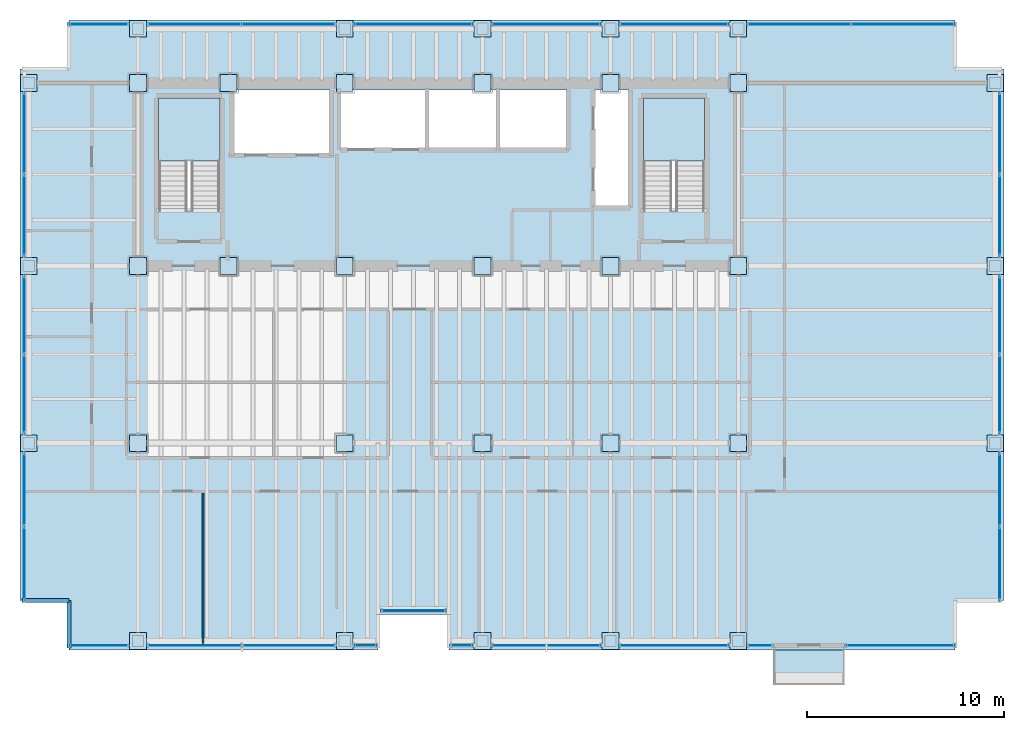
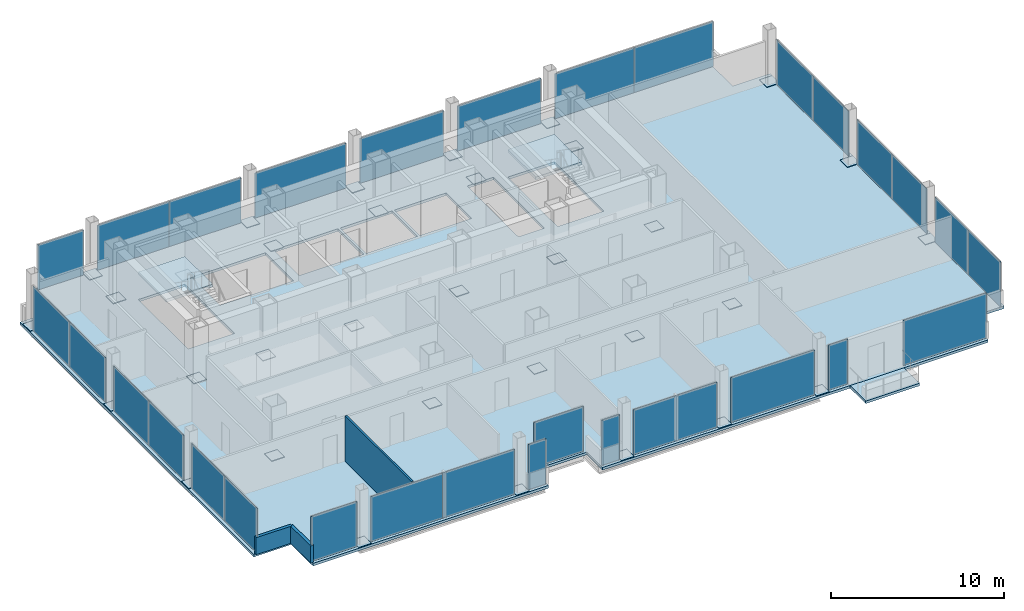
# One storey, part 17 of 22: 63 plates, 4 slabs, 3 walls, 7 openings, 23 elements without a shape of their own.
"""IFC4 building model written with IfcOpenShell, lengths in metres."""

from ifc_helpers import new_model, si_unit, direction, frame, frame_2d, origin, origin_2d, place, context, subcontext, project, spatial, polyline, rectangle, outline, extrude, material, layer, layer_set, type_object, element, aggregate, save


model = new_model("IFC4")

# Units and contexts
model_context = context("Model", 3, precision=1e-05, world=origin(), true_north=direction((0.0, 1.0)))
body_context = subcontext(model_context, "Body", "Model", "MODEL_VIEW")
ifc_project = project(units=[si_unit("LENGTHUNIT", "METRE"), si_unit("AREAUNIT", "SQUARE_METRE"), si_unit("VOLUMEUNIT", "CUBIC_METRE"), si_unit("PLANEANGLEUNIT", "RADIAN"), si_unit("MASSUNIT", "GRAM", prefix="KILO")], contexts=[model_context])

# Site, building, storey
site_placement = place(None, origin())
site = spatial("IfcSite", under=ifc_project, at=site_placement, CompositionType="ELEMENT")
building_placement = place(site_placement, origin())
building = spatial("IfcBuilding", under=site, at=building_placement, Name="Noeulbin Bourse Tower", CompositionType="ELEMENT")
storey_placement = place(building_placement, frame((0.0, 0.0, 85.0)))
storey = spatial("IfcBuildingStorey", under=building, at=storey_placement, Name="L21", CompositionType="ELEMENT", Elevation=85.0)

# Curtain wall, plate
ifc_material_1 = material(Name="Dark Solar-Control Double Glazing", Category="glass")
curtain_wall_type = type_object("IfcCurtainWallType", Name="CW-SYS-2", PredefinedType="NOTDEFINED", material=ifc_material_1)
curtain_wall_1_placement = place(storey_placement, origin())
curtain_wall_1 = element("IfcCurtainWall", 1, at=curtain_wall_1_placement, inside=storey, type_object=curtain_wall_type, Name="Unitised Curtain Wall CW-L21-SREC", PredefinedType="NOTDEFINED")
ifc_layer_1 = layer(ifc_material_1, 0.035888671875)
ifc_layer_set_1 = layer_set([ifc_layer_1], Name="Dark Solar-Control Double Glazing")
plate_type_1 = type_object("IfcPlateType", Name="CW-SYS-2-PNL", PredefinedType="CURTAIN_PANEL", material=ifc_layer_set_1)
plate_1_placement = place(storey_placement, frame((27.5, 11.47998046875, 0.0), z_axis=(0.0, 0.0, 1.0), x_axis=(1.0, 0.0, 0.0)))
plate_1 = element("IfcPlate", 2, at=plate_1_placement, type_object=plate_type_1, Name="Glazed Curtain Panel CW-L21-SREC-P00", PredefinedType="CURTAIN_PANEL", context=body_context, shape_type="SweptSolid", body=[
    extrude(rectangle(XDim=3.300048828125, YDim=0.035888671875, at=origin_2d()), origin(), (0.0, 0.0, 1.0), 3.179931640625),
])
aggregate(curtain_wall_1, [plate_1])

curtain_wall_2_placement = place(storey_placement, origin())
curtain_wall_2 = element("IfcCurtainWall", 3, at=curtain_wall_2_placement, inside=storey, type_object=curtain_wall_type, Name="Unitised Curtain Wall CW-L21-S1-S1", PredefinedType="NOTDEFINED")
plate_2_placement = place(storey_placement, frame((11.510009765625, 9.719970703125, 0.0), z_axis=(0.0, 0.0, 1.0), x_axis=(1.0, 0.0, 0.0)))
plate_2 = element("IfcPlate", 4, at=plate_2_placement, type_object=plate_type_1, Name="Glazed Curtain Panel CW-L21-S1-S1-P00", PredefinedType="CURTAIN_PANEL", context=body_context, shape_type="SweptSolid", body=[
    extrude(rectangle(XDim=3.06005859375, YDim=0.035888671875, at=origin_2d()), origin(), (0.0, 0.0, 1.0), 3.179931640625),
])
aggregate(curtain_wall_2, [plate_2])

# Curtain wall, plates
curtain_wall_3_placement = place(storey_placement, origin())
curtain_wall_3 = element("IfcCurtainWall", 5, at=curtain_wall_3_placement, inside=storey, type_object=curtain_wall_type, Name="Unitised Curtain Wall CW-L21-S1-S2", PredefinedType="NOTDEFINED")
plate_3_placement = place(storey_placement, frame((16.35498046875, 9.719970703125, 0.0), z_axis=(0.0, 0.0, 1.0), x_axis=(1.0, 0.0, 0.0)))
plate_3 = element("IfcPlate", 6, at=plate_3_placement, type_object=plate_type_1, Name="Glazed Curtain Panel CW-L21-S1-S2-P00", PredefinedType="CURTAIN_PANEL", context=body_context, shape_type="SweptSolid", body=[
    extrude(rectangle(XDim=4.7900390625, YDim=0.035888671875, at=origin_2d()), origin(), (0.0, 0.0, 1.0), 3.179931640625),
])
plate_4_placement = place(storey_placement, frame((21.14501953125, 9.719970703125, 0.0), z_axis=(0.0, 0.0, 1.0), x_axis=(1.0, 0.0, 0.0)))
plate_4 = element("IfcPlate", 7, at=plate_4_placement, type_object=plate_type_1, Name="Glazed Curtain Panel CW-L21-S1-S2-P01", PredefinedType="CURTAIN_PANEL", context=body_context, shape_type="SweptSolid", body=[
    extrude(rectangle(XDim=4.7900390625, YDim=0.035888671875, at=origin_2d()), origin(), (0.0, 0.0, 1.0), 3.179931640625),
])
aggregate(curtain_wall_3, [plate_3, plate_4])

# Curtain wall, plate
curtain_wall_4_placement = place(storey_placement, origin())
curtain_wall_4 = element("IfcCurtainWall", 8, at=curtain_wall_4_placement, inside=storey, type_object=curtain_wall_type, Name="Unitised Curtain Wall CW-L21-S1-S3", PredefinedType="NOTDEFINED")
plate_5_placement = place(storey_placement, frame((25.054931640625, 9.719970703125, 0.0), z_axis=(0.0, 0.0, 1.0), x_axis=(1.0, 0.0, 0.0)))
plate_5 = element("IfcPlate", 9, at=plate_5_placement, type_object=plate_type_1, Name="Glazed Curtain Panel CW-L21-S1-S3-P00", PredefinedType="CURTAIN_PANEL", context=body_context, shape_type="SweptSolid", body=[
    extrude(rectangle(XDim=1.18994140625, YDim=0.035888671875, at=origin_2d()), origin(), (0.0, 0.0, 1.0), 3.179931640625),
])
aggregate(curtain_wall_4, [plate_5])

curtain_wall_5_placement = place(storey_placement, origin())
curtain_wall_5 = element("IfcCurtainWall", 10, at=curtain_wall_5_placement, inside=storey, type_object=curtain_wall_type, Name="Unitised Curtain Wall CW-L21-S2-S1", PredefinedType="NOTDEFINED")
plate_6_placement = place(storey_placement, frame((29.945068359375, 9.719970703125, 0.0), z_axis=(0.0, 0.0, 1.0), x_axis=(1.0, 0.0, 0.0)))
plate_6 = element("IfcPlate", 11, at=plate_6_placement, type_object=plate_type_1, Name="Glazed Curtain Panel CW-L21-S2-S1-P00", PredefinedType="CURTAIN_PANEL", context=body_context, shape_type="SweptSolid", body=[
    extrude(rectangle(XDim=1.18994140625, YDim=0.035888671875, at=origin_2d()), origin(), (0.0, 0.0, 1.0), 3.179931640625),
])
aggregate(curtain_wall_5, [plate_6])

curtain_wall_6_placement = place(storey_placement, origin())
curtain_wall_6 = element("IfcCurtainWall", 12, at=curtain_wall_6_placement, inside=storey, type_object=curtain_wall_type, Name="Unitised Curtain Wall CW-L21-S2-S2", PredefinedType="NOTDEFINED")
plate_7_placement = place(storey_placement, frame((34.25, 9.719970703125, 0.0), z_axis=(0.0, 0.0, 1.0), x_axis=(1.0, 0.0, 0.0)))
plate_7 = element("IfcPlate", 13, at=plate_7_placement, type_object=plate_type_1, Name="Glazed Curtain Panel CW-L21-S2-S2-P00", PredefinedType="CURTAIN_PANEL", context=body_context, shape_type="SweptSolid", body=[
    extrude(rectangle(XDim=5.580078125, YDim=0.035888671875, at=origin_2d()), origin(), (0.0, 0.0, 1.0), 3.179931640625),
])
aggregate(curtain_wall_6, [plate_7])

curtain_wall_7_placement = place(storey_placement, origin())
curtain_wall_7 = element("IfcCurtainWall", 14, at=curtain_wall_7_placement, inside=storey, type_object=curtain_wall_type, Name="Unitised Curtain Wall CW-L21-S2-S3", PredefinedType="NOTDEFINED")
plate_8_placement = place(storey_placement, frame((40.75, 9.719970703125, 0.0), z_axis=(0.0, 0.0, 1.0), x_axis=(1.0, 0.0, 0.0)))
plate_8 = element("IfcPlate", 15, at=plate_8_placement, type_object=plate_type_1, Name="Glazed Curtain Panel CW-L21-S2-S3-P00", PredefinedType="CURTAIN_PANEL", context=body_context, shape_type="SweptSolid", body=[
    extrude(rectangle(XDim=5.580078125, YDim=0.035888671875, at=origin_2d()), origin(), (0.0, 0.0, 1.0), 3.179931640625),
])
aggregate(curtain_wall_7, [plate_8])

curtain_wall_8_placement = place(storey_placement, origin())
curtain_wall_8 = element("IfcCurtainWall", 16, at=curtain_wall_8_placement, inside=storey, type_object=curtain_wall_type, Name="Unitised Curtain Wall CW-L21-S2-S4", PredefinedType="NOTDEFINED")
plate_9_placement = place(storey_placement, frame((45.10498046875, 9.719970703125, 0.0), z_axis=(0.0, 0.0, 1.0), x_axis=(1.0, 0.0, 0.0)))
plate_9 = element("IfcPlate", 17, at=plate_9_placement, type_object=plate_type_1, Name="Glazed Curtain Panel CW-L21-S2-S4-P00", PredefinedType="CURTAIN_PANEL", context=body_context, shape_type="SweptSolid", body=[
    extrude(rectangle(XDim=1.2900390625, YDim=0.035888671875, at=origin_2d()), origin(), (0.0, 0.0, 1.0), 3.179931640625),
])
aggregate(curtain_wall_8, [plate_9])

curtain_wall_9_placement = place(storey_placement, origin())
curtain_wall_9 = element("IfcCurtainWall", 18, at=curtain_wall_9_placement, inside=storey, type_object=curtain_wall_type, Name="Unitised Curtain Wall CW-L21-S3", PredefinedType="NOTDEFINED")
plate_10_placement = place(storey_placement, frame((52.235107421875, 9.719970703125, 0.0), z_axis=(0.0, 0.0, 1.0), x_axis=(1.0, 0.0, 0.0)))
plate_10 = element("IfcPlate", 19, at=plate_10_placement, type_object=plate_type_1, Name="Glazed Curtain Panel CW-L21-S3-P00", PredefinedType="CURTAIN_PANEL", context=body_context, shape_type="SweptSolid", body=[
    extrude(rectangle(XDim=5.570068359375, YDim=0.035888671875, at=origin_2d()), origin(), (0.0, 0.0, 1.0), 3.179931640625),
])
aggregate(curtain_wall_9, [plate_10])

curtain_wall_10_placement = place(storey_placement, origin())
curtain_wall_10 = element("IfcCurtainWall", 20, at=curtain_wall_10_placement, inside=storey, type_object=curtain_wall_type, Name="Unitised Curtain Wall CW-L21-N-S1", PredefinedType="NOTDEFINED")
plate_11_placement = place(storey_placement, frame((11.510009765625, 41.280029296875, 0.0), z_axis=(0.0, 0.0, 1.0), x_axis=(1.0, 0.0, 0.0)))
plate_11 = element("IfcPlate", 21, at=plate_11_placement, type_object=plate_type_1, Name="Glazed Curtain Panel CW-L21-N-S1-P00", PredefinedType="CURTAIN_PANEL", context=body_context, shape_type="SweptSolid", body=[
    extrude(rectangle(XDim=3.06005859375, YDim=0.035888671875, at=origin_2d()), origin(), (0.0, 0.0, 1.0), 3.179931640625),
])
aggregate(curtain_wall_10, [plate_11])

# Curtain wall, plates
curtain_wall_11_placement = place(storey_placement, origin())
curtain_wall_11 = element("IfcCurtainWall", 22, at=curtain_wall_11_placement, inside=storey, type_object=curtain_wall_type, Name="Unitised Curtain Wall CW-L21-N-S2", PredefinedType="NOTDEFINED")
plate_12_placement = place(storey_placement, frame((16.35498046875, 41.280029296875, 0.0), z_axis=(0.0, 0.0, 1.0), x_axis=(1.0, 0.0, 0.0)))
plate_12 = element("IfcPlate", 23, at=plate_12_placement, type_object=plate_type_1, Name="Glazed Curtain Panel CW-L21-N-S2-P00", PredefinedType="CURTAIN_PANEL", context=body_context, shape_type="SweptSolid", body=[
    extrude(rectangle(XDim=4.7900390625, YDim=0.035888671875, at=origin_2d()), origin(), (0.0, 0.0, 1.0), 3.179931640625),
])
plate_13_placement = place(storey_placement, frame((21.14501953125, 41.280029296875, 0.0), z_axis=(0.0, 0.0, 1.0), x_axis=(1.0, 0.0, 0.0)))
plate_13 = element("IfcPlate", 24, at=plate_13_placement, type_object=plate_type_1, Name="Glazed Curtain Panel CW-L21-N-S2-P01", PredefinedType="CURTAIN_PANEL", context=body_context, shape_type="SweptSolid", body=[
    extrude(rectangle(XDim=4.7900390625, YDim=0.035888671875, at=origin_2d()), origin(), (0.0, 0.0, 1.0), 3.179931640625),
])
aggregate(curtain_wall_11, [plate_12, plate_13])

# Curtain wall, plate
curtain_wall_12_placement = place(storey_placement, origin())
curtain_wall_12 = element("IfcCurtainWall", 25, at=curtain_wall_12_placement, inside=storey, type_object=curtain_wall_type, Name="Unitised Curtain Wall CW-L21-N-S3", PredefinedType="NOTDEFINED")
plate_14_placement = place(storey_placement, frame((27.5, 41.280029296875, 0.0), z_axis=(0.0, 0.0, 1.0), x_axis=(1.0, 0.0, 0.0)))
plate_14 = element("IfcPlate", 26, at=plate_14_placement, type_object=plate_type_1, Name="Glazed Curtain Panel CW-L21-N-S3-P00", PredefinedType="CURTAIN_PANEL", context=body_context, shape_type="SweptSolid", body=[
    extrude(rectangle(XDim=6.080078125, YDim=0.035888671875, at=origin_2d()), origin(), (0.0, 0.0, 1.0), 3.179931640625),
])
aggregate(curtain_wall_12, [plate_14])

curtain_wall_13_placement = place(storey_placement, origin())
curtain_wall_13 = element("IfcCurtainWall", 27, at=curtain_wall_13_placement, inside=storey, type_object=curtain_wall_type, Name="Unitised Curtain Wall CW-L21-N-S4", PredefinedType="NOTDEFINED")
plate_15_placement = place(storey_placement, frame((34.25, 41.280029296875, 0.0), z_axis=(0.0, 0.0, 1.0), x_axis=(1.0, 0.0, 0.0)))
plate_15 = element("IfcPlate", 28, at=plate_15_placement, type_object=plate_type_1, Name="Glazed Curtain Panel CW-L21-N-S4-P00", PredefinedType="CURTAIN_PANEL", context=body_context, shape_type="SweptSolid", body=[
    extrude(rectangle(XDim=5.580078125, YDim=0.035888671875, at=origin_2d()), origin(), (0.0, 0.0, 1.0), 3.179931640625),
])
aggregate(curtain_wall_13, [plate_15])

curtain_wall_14_placement = place(storey_placement, origin())
curtain_wall_14 = element("IfcCurtainWall", 29, at=curtain_wall_14_placement, inside=storey, type_object=curtain_wall_type, Name="Unitised Curtain Wall CW-L21-N-S5", PredefinedType="NOTDEFINED")
plate_16_placement = place(storey_placement, frame((40.75, 41.280029296875, 0.0), z_axis=(0.0, 0.0, 1.0), x_axis=(1.0, 0.0, 0.0)))
plate_16 = element("IfcPlate", 30, at=plate_16_placement, type_object=plate_type_1, Name="Glazed Curtain Panel CW-L21-N-S5-P00", PredefinedType="CURTAIN_PANEL", context=body_context, shape_type="SweptSolid", body=[
    extrude(rectangle(XDim=5.580078125, YDim=0.035888671875, at=origin_2d()), origin(), (0.0, 0.0, 1.0), 3.179931640625),
])
aggregate(curtain_wall_14, [plate_16])

# Curtain wall, plates
curtain_wall_15_placement = place(storey_placement, origin())
curtain_wall_15 = element("IfcCurtainWall", 31, at=curtain_wall_15_placement, inside=storey, type_object=curtain_wall_type, Name="Unitised Curtain Wall CW-L21-N-S6", PredefinedType="NOTDEFINED")
plate_17_placement = place(storey_placement, frame((47.10009765625, 41.280029296875, 0.0), z_axis=(0.0, 0.0, 1.0), x_axis=(1.0, 0.0, 0.0)))
plate_17 = element("IfcPlate", 32, at=plate_17_placement, type_object=plate_type_1, Name="Glazed Curtain Panel CW-L21-N-S6-P00", PredefinedType="CURTAIN_PANEL", context=body_context, shape_type="SweptSolid", body=[
    extrude(rectangle(XDim=5.280029296875, YDim=0.035888671875, at=origin_2d()), origin(), (0.0, 0.0, 1.0), 3.179931640625),
])
plate_18_placement = place(storey_placement, frame((52.3798828125, 41.280029296875, 0.0), z_axis=(0.0, 0.0, 1.0), x_axis=(1.0, 0.0, 0.0)))
plate_18 = element("IfcPlate", 33, at=plate_18_placement, type_object=plate_type_1, Name="Glazed Curtain Panel CW-L21-N-S6-P01", PredefinedType="CURTAIN_PANEL", context=body_context, shape_type="SweptSolid", body=[
    extrude(rectangle(XDim=5.280029296875, YDim=0.035888671875, at=origin_2d()), origin(), (0.0, 0.0, 1.0), 3.179931640625),
])
aggregate(curtain_wall_15, [plate_17, plate_18])

curtain_wall_16_placement = place(storey_placement, origin())
curtain_wall_16 = element("IfcCurtainWall", 34, at=curtain_wall_16_placement, inside=storey, type_object=curtain_wall_type, Name="Unitised Curtain Wall CW-L21-W-S1", PredefinedType="NOTDEFINED")
plate_19_placement = place(storey_placement, frame((7.719970703125, 13.8701171875, 0.0), z_axis=(0.0, 0.0, 1.0), x_axis=(0.0, 1.0, 0.0)))
plate_19 = element("IfcPlate", 35, at=plate_19_placement, type_object=plate_type_1, Name="Glazed Curtain Panel CW-L21-W-S1-P00", PredefinedType="CURTAIN_PANEL", context=body_context, shape_type="SweptSolid", body=[
    extrude(rectangle(XDim=3.780029296875, YDim=0.035888671875, at=origin_2d()), origin(), (0.0, 0.0, 1.0), 3.179931640625),
])
plate_20_placement = place(storey_placement, frame((7.719970703125, 17.64990234375, 0.0), z_axis=(0.0, 0.0, 1.0), x_axis=(0.0, 1.0, 0.0)))
plate_20 = element("IfcPlate", 36, at=plate_20_placement, type_object=plate_type_1, Name="Glazed Curtain Panel CW-L21-W-S1-P01", PredefinedType="CURTAIN_PANEL", context=body_context, shape_type="SweptSolid", body=[
    extrude(rectangle(XDim=3.780029296875, YDim=0.035888671875, at=origin_2d()), origin(), (0.0, 0.0, 1.0), 3.179931640625),
])
aggregate(curtain_wall_16, [plate_19, plate_20])

curtain_wall_17_placement = place(storey_placement, origin())
curtain_wall_17 = element("IfcCurtainWall", 37, at=curtain_wall_17_placement, inside=storey, type_object=curtain_wall_type, Name="Unitised Curtain Wall CW-L21-W-S2", PredefinedType="NOTDEFINED")
plate_21_placement = place(storey_placement, frame((7.719970703125, 22.47998046875, 0.0), z_axis=(0.0, 0.0, 1.0), x_axis=(0.0, 1.0, 0.0)))
plate_21 = element("IfcPlate", 38, at=plate_21_placement, type_object=plate_type_1, Name="Glazed Curtain Panel CW-L21-W-S2-P00", PredefinedType="CURTAIN_PANEL", context=body_context, shape_type="SweptSolid", body=[
    extrude(rectangle(XDim=4.0400390625, YDim=0.035888671875, at=origin_2d()), origin(), (0.0, 0.0, 1.0), 3.179931640625),
])
plate_22_placement = place(storey_placement, frame((7.719970703125, 26.52001953125, 0.0), z_axis=(0.0, 0.0, 1.0), x_axis=(0.0, 1.0, 0.0)))
plate_22 = element("IfcPlate", 39, at=plate_22_placement, type_object=plate_type_1, Name="Glazed Curtain Panel CW-L21-W-S2-P01", PredefinedType="CURTAIN_PANEL", context=body_context, shape_type="SweptSolid", body=[
    extrude(rectangle(XDim=4.0400390625, YDim=0.035888671875, at=origin_2d()), origin(), (0.0, 0.0, 1.0), 3.179931640625),
])
aggregate(curtain_wall_17, [plate_21, plate_22])

curtain_wall_18_placement = place(storey_placement, origin())
curtain_wall_18 = element("IfcCurtainWall", 40, at=curtain_wall_18_placement, inside=storey, type_object=curtain_wall_type, Name="Unitised Curtain Wall CW-L21-W-S3", PredefinedType="NOTDEFINED")
plate_23_placement = place(storey_placement, frame((7.719970703125, 31.554931640625, 0.0), z_axis=(0.0, 0.0, 1.0), x_axis=(0.0, 1.0, 0.0)))
plate_23 = element("IfcPlate", 41, at=plate_23_placement, type_object=plate_type_1, Name="Glazed Curtain Panel CW-L21-W-S3-P00", PredefinedType="CURTAIN_PANEL", context=body_context, shape_type="SweptSolid", body=[
    extrude(rectangle(XDim=4.18994140625, YDim=0.035888671875, at=origin_2d()), origin(), (0.0, 0.0, 1.0), 3.179931640625),
])
plate_24_placement = place(storey_placement, frame((7.719970703125, 35.7451171875, 0.0), z_axis=(0.0, 0.0, 1.0), x_axis=(0.0, 1.0, 0.0)))
plate_24 = element("IfcPlate", 42, at=plate_24_placement, type_object=plate_type_1, Name="Glazed Curtain Panel CW-L21-W-S3-P01", PredefinedType="CURTAIN_PANEL", context=body_context, shape_type="SweptSolid", body=[
    extrude(rectangle(XDim=4.18994140625, YDim=0.035888671875, at=origin_2d()), origin(), (0.0, 0.0, 1.0), 3.179931640625),
])
aggregate(curtain_wall_18, [plate_23, plate_24])

curtain_wall_19_placement = place(storey_placement, origin())
curtain_wall_19 = element("IfcCurtainWall", 43, at=curtain_wall_19_placement, inside=storey, type_object=curtain_wall_type, Name="Unitised Curtain Wall CW-L21-E-S1", PredefinedType="NOTDEFINED")
plate_25_placement = place(storey_placement, frame((57.280029296875, 13.8701171875, 0.0), z_axis=(0.0, 0.0, 1.0), x_axis=(0.0, 1.0, 0.0)))
plate_25 = element("IfcPlate", 44, at=plate_25_placement, type_object=plate_type_1, Name="Glazed Curtain Panel CW-L21-E-S1-P00", PredefinedType="CURTAIN_PANEL", context=body_context, shape_type="SweptSolid", body=[
    extrude(rectangle(XDim=3.780029296875, YDim=0.035888671875, at=origin_2d()), origin(), (0.0, 0.0, 1.0), 3.179931640625),
])
plate_26_placement = place(storey_placement, frame((57.280029296875, 17.64990234375, 0.0), z_axis=(0.0, 0.0, 1.0), x_axis=(0.0, 1.0, 0.0)))
plate_26 = element("IfcPlate", 45, at=plate_26_placement, type_object=plate_type_1, Name="Glazed Curtain Panel CW-L21-E-S1-P01", PredefinedType="CURTAIN_PANEL", context=body_context, shape_type="SweptSolid", body=[
    extrude(rectangle(XDim=3.780029296875, YDim=0.035888671875, at=origin_2d()), origin(), (0.0, 0.0, 1.0), 3.179931640625),
])
aggregate(curtain_wall_19, [plate_25, plate_26])

curtain_wall_20_placement = place(storey_placement, origin())
curtain_wall_20 = element("IfcCurtainWall", 46, at=curtain_wall_20_placement, inside=storey, type_object=curtain_wall_type, Name="Unitised Curtain Wall CW-L21-E-S2", PredefinedType="NOTDEFINED")
plate_27_placement = place(storey_placement, frame((57.280029296875, 22.47998046875, 0.0), z_axis=(0.0, 0.0, 1.0), x_axis=(0.0, 1.0, 0.0)))
plate_27 = element("IfcPlate", 47, at=plate_27_placement, type_object=plate_type_1, Name="Glazed Curtain Panel CW-L21-E-S2-P00", PredefinedType="CURTAIN_PANEL", context=body_context, shape_type="SweptSolid", body=[
    extrude(rectangle(XDim=4.0400390625, YDim=0.035888671875, at=origin_2d()), origin(), (0.0, 0.0, 1.0), 3.179931640625),
])
plate_28_placement = place(storey_placement, frame((57.280029296875, 26.52001953125, 0.0), z_axis=(0.0, 0.0, 1.0), x_axis=(0.0, 1.0, 0.0)))
plate_28 = element("IfcPlate", 48, at=plate_28_placement, type_object=plate_type_1, Name="Glazed Curtain Panel CW-L21-E-S2-P01", PredefinedType="CURTAIN_PANEL", context=body_context, shape_type="SweptSolid", body=[
    extrude(rectangle(XDim=4.0400390625, YDim=0.035888671875, at=origin_2d()), origin(), (0.0, 0.0, 1.0), 3.179931640625),
])
aggregate(curtain_wall_20, [plate_27, plate_28])

curtain_wall_21_placement = place(storey_placement, origin())
curtain_wall_21 = element("IfcCurtainWall", 49, at=curtain_wall_21_placement, inside=storey, type_object=curtain_wall_type, Name="Unitised Curtain Wall CW-L21-E-S3", PredefinedType="NOTDEFINED")
plate_29_placement = place(storey_placement, frame((57.280029296875, 31.554931640625, 0.0), z_axis=(0.0, 0.0, 1.0), x_axis=(0.0, 1.0, 0.0)))
plate_29 = element("IfcPlate", 50, at=plate_29_placement, type_object=plate_type_1, Name="Glazed Curtain Panel CW-L21-E-S3-P00", PredefinedType="CURTAIN_PANEL", context=body_context, shape_type="SweptSolid", body=[
    extrude(rectangle(XDim=4.18994140625, YDim=0.035888671875, at=origin_2d()), origin(), (0.0, 0.0, 1.0), 3.179931640625),
])
plate_30_placement = place(storey_placement, frame((57.280029296875, 35.7451171875, 0.0), z_axis=(0.0, 0.0, 1.0), x_axis=(0.0, 1.0, 0.0)))
plate_30 = element("IfcPlate", 51, at=plate_30_placement, type_object=plate_type_1, Name="Glazed Curtain Panel CW-L21-E-S3-P01", PredefinedType="CURTAIN_PANEL", context=body_context, shape_type="SweptSolid", body=[
    extrude(rectangle(XDim=4.18994140625, YDim=0.035888671875, at=origin_2d()), origin(), (0.0, 0.0, 1.0), 3.179931640625),
])
aggregate(curtain_wall_21, [plate_29, plate_30])

# Plates
ifc_material_2 = material(Name="Steel S355", Category="steel")
ifc_layer_2 = layer(ifc_material_2, 0.030029296875)
ifc_layer_set_2 = layer_set([ifc_layer_2], Name="Steel S355")
plate_type_2 = type_object("IfcPlateType", Name="PLT-BN1", PredefinedType="USERDEFINED", material=ifc_layer_set_2)
for number, where, z_axis, x_axis, name in (
    (52, (13.5, 29.0, 0.0048828125), (0.0, 0.0, 1.0), (1.0, 0.0, 0.0), "Mega-Column Splice Plate BN1-L21-01"),
    (53, (13.5, 38.300048828125, 0.0048828125), (0.0, 0.0, 1.0), (1.0, 0.0, 0.0), "Mega-Column Splice Plate BN1-L21-02"),
    (54, (18.10009765625, 29.0, 0.0048828125), (0.0, 0.0, 1.0), (1.0, 0.0, 0.0), "Mega-Column Splice Plate BN1-L21-03"),
    (55, (18.10009765625, 38.300048828125, 0.0048828125), (0.0, 0.0, 1.0), (1.0, 0.0, 0.0), "Mega-Column Splice Plate BN1-L21-04"),
    (56, (24.0, 29.0, 0.0048828125), (0.0, 0.0, 1.0), (1.0, 0.0, 0.0), "Mega-Column Splice Plate BN1-L21-05"),
    (57, (24.0, 38.300048828125, 0.0048828125), (0.0, 0.0, 1.0), (1.0, 0.0, 0.0), "Mega-Column Splice Plate BN1-L21-06"),
    (58, (31.0, 29.0, 0.0048828125), (0.0, 0.0, 1.0), (1.0, 0.0, 0.0), "Mega-Column Splice Plate BN1-L21-07"),
    (59, (31.0, 38.300048828125, 0.0048828125), (0.0, 0.0, 1.0), (1.0, 0.0, 0.0), "Mega-Column Splice Plate BN1-L21-08"),
    (60, (37.5, 29.0, 0.0048828125), (0.0, 0.0, 1.0), (1.0, 0.0, 0.0), "Mega-Column Splice Plate BN1-L21-09"),
    (61, (37.5, 38.300048828125, 0.0048828125), (0.0, 0.0, 1.0), (1.0, 0.0, 0.0), "Mega-Column Splice Plate BN1-L21-10"),
    (62, (44.0, 29.0, 0.0048828125), (0.0, 0.0, 1.0), (1.0, 0.0, 0.0), "Mega-Column Splice Plate BN1-L21-11"),
    (63, (44.0, 38.300048828125, 0.0048828125), (0.0, 0.0, 1.0), (1.0, 0.0, 0.0), "Mega-Column Splice Plate BN1-L21-12"),
    (64, (13.5, 20.0, 0.0048828125), (0.0, 0.0, 1.0), (1.0, 0.0, 0.0), "Mega-Column Splice Plate BN1-L21-13"),
    (65, (24.0, 20.0, 0.0048828125), (0.0, 0.0, 1.0), (1.0, 0.0, 0.0), "Mega-Column Splice Plate BN1-L21-14"),
    (66, (31.0, 20.0, 0.0048828125), (0.0, 0.0, 1.0), (1.0, 0.0, 0.0), "Mega-Column Splice Plate BN1-L21-15"),
    (67, (37.5, 20.0, 0.0048828125), (0.0, 0.0, 1.0), (1.0, 0.0, 0.0), "Mega-Column Splice Plate BN1-L21-16"),
    (68, (44.0, 20.0, 0.0048828125), (0.0, 0.0, 1.0), (1.0, 0.0, 0.0), "Mega-Column Splice Plate BN1-L21-17"),
    (69, (7.949951171875, 20.0, 0.0048828125), (0.0, 0.0, 1.0), (1.0, 0.0, 0.0), "Perimeter Column Splice Plate BN1-L21-01"),
    (70, (7.949951171875, 29.0, 0.0048828125), (0.0, 0.0, 1.0), (1.0, 0.0, 0.0), "Perimeter Column Splice Plate BN1-L21-02"),
    (71, (7.949951171875, 38.300048828125, 0.0048828125), (0.0, 0.0, 1.0), (1.0, 0.0, 0.0), "Perimeter Column Splice Plate BN1-L21-03"),
    (72, (13.5, 9.949951171875, 0.0048828125), (0.0, 0.0, 1.0), (1.0, 0.0, 0.0), "Perimeter Column Splice Plate BN1-L21-04"),
    (73, (13.5, 41.050048828125, 0.0048828125), (0.0, 0.0, 1.0), (1.0, 0.0, 0.0), "Perimeter Column Splice Plate BN1-L21-05"),
    (74, (24.0, 9.949951171875, 0.0048828125), (0.0, 0.0, 1.0), (1.0, 0.0, 0.0), "Perimeter Column Splice Plate BN1-L21-06"),
    (75, (24.0, 41.050048828125, 0.0048828125), (0.0, 0.0, 1.0), (1.0, 0.0, 0.0), "Perimeter Column Splice Plate BN1-L21-07"),
    (76, (31.0, 9.949951171875, 0.0048828125), (0.0, 0.0, 1.0), (1.0, 0.0, 0.0), "Perimeter Column Splice Plate BN1-L21-08"),
    (77, (31.0, 41.050048828125, 0.0048828125), (0.0, 0.0, 1.0), (1.0, 0.0, 0.0), "Perimeter Column Splice Plate BN1-L21-09"),
    (78, (37.5, 9.949951171875, 0.0048828125), (0.0, 0.0, 1.0), (1.0, 0.0, 0.0), "Perimeter Column Splice Plate BN1-L21-10"),
    (79, (37.5, 41.050048828125, 0.0048828125), (0.0, 0.0, 1.0), (1.0, 0.0, 0.0), "Perimeter Column Splice Plate BN1-L21-11"),
    (80, (44.0, 9.949951171875, 0.0048828125), (0.0, 0.0, 1.0), (1.0, 0.0, 0.0), "Perimeter Column Splice Plate BN1-L21-12"),
    (81, (44.0, 41.050048828125, 0.0048828125), (0.0, 0.0, 1.0), (1.0, 0.0, 0.0), "Perimeter Column Splice Plate BN1-L21-13"),
    (82, (57.050048828125, 20.0, 0.0048828125), (0.0, 0.0, 1.0), (1.0, 0.0, 0.0), "Perimeter Column Splice Plate BN1-L21-14"),
    (83, (57.050048828125, 29.0, 0.0048828125), (0.0, 0.0, 1.0), (1.0, 0.0, 0.0), "Perimeter Column Splice Plate BN1-L21-15"),
    (84, (57.050048828125, 38.300048828125, 0.0048828125), (0.0, 0.0, 1.0), (1.0, 0.0, 0.0), "Perimeter Column Splice Plate BN1-L21-16"),
):
    element("IfcPlate", number, at=place(storey_placement, frame(where, z_axis=z_axis, x_axis=x_axis)), inside=storey, type_object=plate_type_2, Name=name, ObjectType="SPLICE PLATE", PredefinedType="USERDEFINED", context=body_context, shape_type="SweptSolid", body=[
        extrude(rectangle(XDim=0.85009765625, YDim=0.85009765625, at=origin_2d()), origin(), (0.0, 0.0, 1.0), 0.030029296875),
    ])

# Stair, slab
ifc_material_3 = material(Name="Concrete C40/50", Category="concrete")
stair_type = type_object("IfcStairType", Name="STR-CORE-1560", PredefinedType="HALF_TURN_STAIR", material=ifc_material_3)
stair_1_placement = place(storey_placement, origin())
stair_1 = element("IfcStair", 85, at=stair_1_placement, inside=storey, type_object=stair_type, Name="L21 ST-1", PredefinedType="HALF_TURN_STAIR")
ifc_layer_3 = layer(ifc_material_3, 0.199951171875)
ifc_layer_set_3 = layer_set([ifc_layer_3], Name="Concrete C40/50")
slab_type_1 = type_object("IfcSlabType", Name="SLB-LND-200", PredefinedType="LANDING", material=ifc_layer_set_3)
slab_1_placement = place(storey_placement, frame((0.0, 0.0, 1.75)))
slab_1 = element("IfcSlab", 86, at=slab_1_placement, type_object=slab_type_1, Name="ST-1 landing 1", PredefinedType="LANDING", context=body_context, shape_type="SweptSolid", body=[
    extrude(outline(polyline([(17.64990234375, 34.330078125), (17.64990234375, 37.5439453125), (14.550048828125, 37.5439453125), (14.550048828125, 34.330078125), (17.64990234375, 34.330078125)])), origin(), (0.0, 0.0, 1.0), 0.199951171875),
])
aggregate(stair_1, [slab_1])

stair_2_placement = place(storey_placement, origin())
stair_2 = element("IfcStair", 87, at=stair_2_placement, inside=storey, type_object=stair_type, Name="L21 ST-2", PredefinedType="HALF_TURN_STAIR")
slab_2_placement = place(storey_placement, frame((0.0, 0.0, 1.75)))
slab_2 = element("IfcSlab", 88, at=slab_2_placement, type_object=slab_type_1, Name="ST-2 landing 1", PredefinedType="LANDING", context=body_context, shape_type="SweptSolid", body=[
    extrude(outline(polyline([(42.280029296875, 34.330078125), (42.280029296875, 37.5439453125), (39.179931640625, 37.5439453125), (39.179931640625, 34.330078125), (42.280029296875, 34.330078125)])), origin(), (0.0, 0.0, 1.0), 0.199951171875),
])
aggregate(stair_2, [slab_2])

# Slab, openings
ifc_layer_4 = layer(ifc_material_3, 0.179931640625)
ifc_layer_set_4 = layer_set([ifc_layer_4], Name="Concrete C40/50")
slab_type_2 = type_object("IfcSlabType", Name="SLB-TYP-180", PredefinedType="FLOOR", material=ifc_layer_set_4)
slab_3_placement = place(storey_placement, frame((0.0, 0.0, -0.179931640625)))
slab_3 = element("IfcSlab", 89, at=slab_3_placement, inside=storey, type_object=slab_type_2, Name="Tower Structural Floor Slab L21", PredefinedType="FLOOR", context=body_context, shape_type="SweptSolid", body=[
    extrude(outline(polyline([(10.0, 9.5), (25.699951171875, 9.5), (25.699951171875, 11.300048828125), (29.300048828125, 11.300048828125), (29.300048828125, 9.5), (55.0, 9.5), (55.0, 12.0), (57.5, 12.0), (57.5, 39.0), (55.0, 39.0), (55.0, 41.5), (10.0, 41.5), (10.0, 39.0), (7.5, 39.0), (7.5, 12.0), (10.0, 12.0), (10.0, 9.5)]), holes=[polyline([(17.64990234375, 31.81005859375), (17.64990234375, 37.5439453125), (14.550048828125, 37.5439453125), (14.550048828125, 31.81005859375), (17.64990234375, 31.81005859375)]), polyline([(42.280029296875, 31.81005859375), (42.280029296875, 37.5439453125), (39.179931640625, 37.5439453125), (39.179931640625, 31.81005859375), (42.280029296875, 31.81005859375)]), polyline([(18.35009765625, 34.699951171875), (23.25, 34.699951171875), (23.25, 37.949951171875), (18.35009765625, 37.949951171875), (18.35009765625, 34.699951171875)]), polyline([(36.699951171875, 32.050048828125), (38.449951171875, 32.050048828125), (38.449951171875, 37.949951171875), (36.699951171875, 37.949951171875), (36.699951171875, 32.050048828125)]), polyline([(23.800048828125, 35.0), (28.10009765625, 35.0), (28.10009765625, 37.949951171875), (23.800048828125, 37.949951171875), (23.800048828125, 35.0)]), polyline([(28.25, 35.0), (31.699951171875, 35.0), (31.699951171875, 37.949951171875), (28.25, 37.949951171875), (28.25, 35.0)]), polyline([(31.85009765625, 35.0), (35.300048828125, 35.0), (35.300048828125, 37.949951171875), (31.85009765625, 37.949951171875), (31.85009765625, 35.0)])]), origin(), (0.0, 0.0, 1.0), 0.179931640625),
])
opening_1_placement = place(slab_3_placement, frame((0.0, 0.0, -0.010009765625)))
element("IfcOpeningElement", 90, at=opening_1_placement, cuts=slab_3, Name="Slab Shaft Opening SLB-L21-TWR-1", PredefinedType="OPENING", context=body_context, shape_type="SweptSolid", body=[
    extrude(outline(polyline([(17.64990234375, 31.81005859375), (17.64990234375, 37.5439453125), (14.550048828125, 37.5439453125), (14.550048828125, 31.81005859375), (17.64990234375, 31.81005859375)])), origin(), (0.0, 0.0, 1.0), 0.199951171875),
])
opening_2_placement = place(slab_3_placement, frame((0.0, 0.0, -0.010009765625)))
element("IfcOpeningElement", 91, at=opening_2_placement, cuts=slab_3, Name="Slab Shaft Opening SLB-L21-TWR-2", PredefinedType="OPENING", context=body_context, shape_type="SweptSolid", body=[
    extrude(outline(polyline([(42.280029296875, 31.81005859375), (42.280029296875, 37.5439453125), (39.179931640625, 37.5439453125), (39.179931640625, 31.81005859375), (42.280029296875, 31.81005859375)])), origin(), (0.0, 0.0, 1.0), 0.199951171875),
])
opening_3_placement = place(slab_3_placement, frame((0.0, 0.0, -0.010009765625)))
element("IfcOpeningElement", 92, at=opening_3_placement, cuts=slab_3, Name="Slab Shaft Opening SLB-L21-TWR-3", PredefinedType="OPENING", context=body_context, shape_type="SweptSolid", body=[
    extrude(outline(polyline([(18.35009765625, 34.699951171875), (23.25, 34.699951171875), (23.25, 37.949951171875), (18.35009765625, 37.949951171875), (18.35009765625, 34.699951171875)])), origin(), (0.0, 0.0, 1.0), 0.199951171875),
])
opening_4_placement = place(slab_3_placement, frame((0.0, 0.0, -0.010009765625)))
element("IfcOpeningElement", 93, at=opening_4_placement, cuts=slab_3, Name="Slab Shaft Opening SLB-L21-TWR-4", PredefinedType="OPENING", context=body_context, shape_type="SweptSolid", body=[
    extrude(outline(polyline([(36.699951171875, 32.050048828125), (38.449951171875, 32.050048828125), (38.449951171875, 37.949951171875), (36.699951171875, 37.949951171875), (36.699951171875, 32.050048828125)])), origin(), (0.0, 0.0, 1.0), 0.199951171875),
])
opening_5_placement = place(slab_3_placement, frame((0.0, 0.0, -0.010009765625)))
element("IfcOpeningElement", 94, at=opening_5_placement, cuts=slab_3, Name="Slab Shaft Opening SLB-L21-TWR-5", PredefinedType="OPENING", context=body_context, shape_type="SweptSolid", body=[
    extrude(outline(polyline([(23.800048828125, 35.0), (28.10009765625, 35.0), (28.10009765625, 37.949951171875), (23.800048828125, 37.949951171875), (23.800048828125, 35.0)])), origin(), (0.0, 0.0, 1.0), 0.199951171875),
])
opening_6_placement = place(slab_3_placement, frame((0.0, 0.0, -0.010009765625)))
element("IfcOpeningElement", 95, at=opening_6_placement, cuts=slab_3, Name="Slab Shaft Opening SLB-L21-TWR-6", PredefinedType="OPENING", context=body_context, shape_type="SweptSolid", body=[
    extrude(outline(polyline([(28.25, 35.0), (31.699951171875, 35.0), (31.699951171875, 37.949951171875), (28.25, 37.949951171875), (28.25, 35.0)])), origin(), (0.0, 0.0, 1.0), 0.199951171875),
])
opening_7_placement = place(slab_3_placement, frame((0.0, 0.0, -0.010009765625)))
element("IfcOpeningElement", 96, at=opening_7_placement, cuts=slab_3, Name="Slab Shaft Opening SLB-L21-TWR-7", PredefinedType="OPENING", context=body_context, shape_type="SweptSolid", body=[
    extrude(outline(polyline([(31.85009765625, 35.0), (35.300048828125, 35.0), (35.300048828125, 37.949951171875), (31.85009765625, 37.949951171875), (31.85009765625, 35.0)])), origin(), (0.0, 0.0, 1.0), 0.199951171875),
])

# Slab
slab_4_placement = place(storey_placement, frame((0.0, 0.0, -0.179931640625)))
element("IfcSlab", 97, at=slab_4_placement, inside=storey, type_object=slab_type_2, Name="Cantilevered Tree-Balcony Slab L21", PredefinedType="FLOOR", context=body_context, shape_type="SweptSolid", body=[
    extrude(outline(polyline([(45.800048828125, 7.699951171875), (49.39990234375, 7.699951171875), (49.39990234375, 9.5), (45.800048828125, 9.5), (45.800048828125, 7.699951171875)])), origin(), (0.0, 0.0, 1.0), 0.179931640625),
])

# Walls
ifc_layer_5 = layer(ifc_material_3, 0.199951171875)
ifc_layer_set_5 = layer_set([ifc_layer_5], Name="Concrete C40/50")
wall_type_1 = type_object("IfcWallType", Name="WAL-PAR-200", PredefinedType="PARAPET", material=ifc_layer_set_5)
for number, where, z_axis, x_axis, name in (
    (98, (7.60009765625, 12.0, 0.0), (0.0, 0.0, 1.0), (1.0, 0.0, 0.0), "Corner Notch Parapet L21-SW1"),
    (99, (10.0, 12.0, 0.0), (0.0, 0.0, 1.0), (0.0, -1.0, 0.0), "Corner Notch Parapet L21-SW2"),
):
    element("IfcWall", number, at=place(storey_placement, frame(where, z_axis=z_axis, x_axis=x_axis)), inside=storey, type_object=wall_type_1, Name=name, PredefinedType="PARAPET", context=body_context, shape_type="SweptSolid", body=[
        extrude(rectangle(XDim=2.39990234375, YDim=0.199951171875, at=frame_2d((1.199951171875, 0.0))), origin(), (0.0, 0.0, 1.0), 1.199951171875),
    ])
ifc_material_4 = material(Name="Steel Stud Gypsum Partition", Category="steel")
ifc_layer_6 = layer(ifc_material_4, 0.1201171875)
ifc_layer_set_6 = layer_set([ifc_layer_6], Name="Steel Stud Gypsum Partition")
wall_type_2 = type_object("IfcWallType", Name="WAL-PRT-120", PredefinedType="PARTITIONING", material=ifc_layer_set_6)
wall_placement = place(storey_placement, frame((16.800048828125, 9.81005859375, 0.0), z_axis=(0.0, 0.0, 1.0), x_axis=(0.0, 1.0, 0.0)))
element("IfcWall", 100, at=wall_placement, inside=storey, type_object=wall_type_2, Name="Interior Partition Wall L21-27", PredefinedType="PARTITIONING", context=body_context, shape_type="SweptSolid", body=[
    extrude(rectangle(XDim=7.655029296875, YDim=0.1201171875, at=frame_2d((3.82763671875, 0.0))), origin(), (0.0, 0.0, 1.0), 3.2119140625),
])

save(model, "model.ifc")
